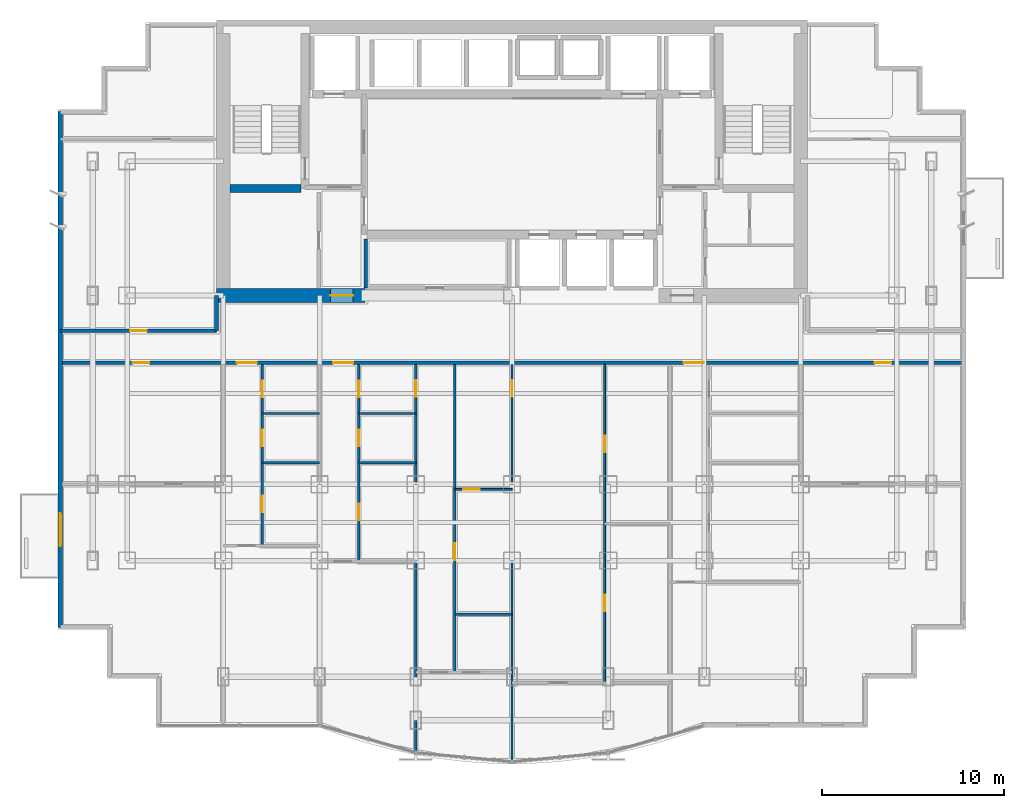
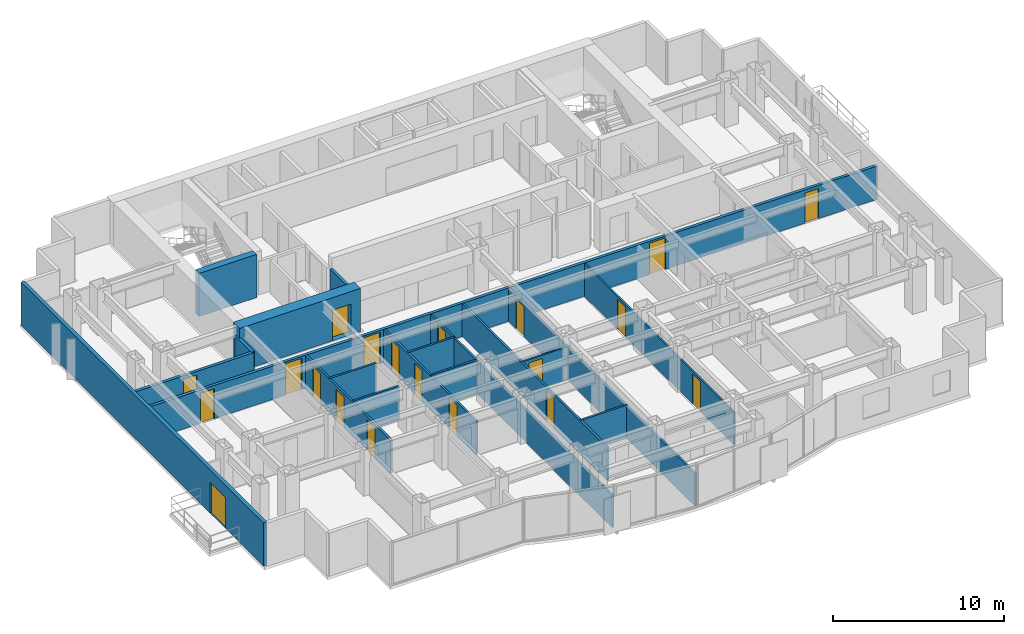
# One storey, part 5 of 10: 20 doors, 19 walls, 20 openings.
"""IFC4 building model written with IfcOpenShell, lengths in metres."""

from ifc_helpers import new_model, si_unit, direction, frame, frame_2d, origin, place, context, subcontext, project, spatial, rectangle, extrude, material, layer, layer_set, type_object, element, fill, save


model = new_model("IFC4")

# Units and contexts
model_context = context("Model", 3, precision=1e-05, world=origin(), true_north=direction((0.0, 1.0)))
body_context = subcontext(model_context, "Body", "Model", "MODEL_VIEW")
ifc_project = project(units=[si_unit("LENGTHUNIT", "METRE"), si_unit("AREAUNIT", "SQUARE_METRE"), si_unit("VOLUMEUNIT", "CUBIC_METRE"), si_unit("PLANEANGLEUNIT", "RADIAN"), si_unit("MASSUNIT", "GRAM", prefix="KILO")], contexts=[model_context])

# Site, building, storey
site_placement = place(None, origin())
site = spatial("IfcSite", under=ifc_project, at=site_placement, CompositionType="ELEMENT")
building_placement = place(site_placement, origin())
building = spatial("IfcBuilding", under=site, at=building_placement, Name="Qianlan Lanfeng Residences", CompositionType="ELEMENT")
storey_placement = place(building_placement, frame((0.0, 0.0, 114.699951171875)))
storey = spatial("IfcBuildingStorey", under=building, at=storey_placement, Name="L31", CompositionType="ELEMENT", Elevation=114.699951171875)

# Wall
ifc_material_1 = material(Name="Concrete C60", Category="concrete")
ifc_layer_1 = layer(ifc_material_1, 0.449951171875)
ifc_layer_set_1 = layer_set([ifc_layer_1], Name="Concrete C60")
wall_type_1 = type_object("IfcWallType", Name="CW-RC-450", PredefinedType="SHEAR", material=ifc_layer_set_1)
wall_1_placement = place(storey_placement, frame((10.97509765625, 31.10009765625, 0.0), z_axis=(0.0, 0.0, 1.0), x_axis=(1.0, 0.0, 0.0)))
element("IfcWall", 1, at=wall_1_placement, inside=storey, type_object=wall_type_1, Name="L31 Core Shear Wall ST1S", PredefinedType="SHEAR", context=body_context, shape_type="SweptSolid", body=[
    extrude(rectangle(XDim=3.89990234375, YDim=0.449951171875, at=frame_2d((1.949951171875, 0.0))), origin(), (0.0, 0.0, 1.0), 3.090087890625),
])

# Wall, opening, door
ifc_layer_2 = layer(ifc_material_1, 0.75)
ifc_layer_set_2 = layer_set([ifc_layer_2], Name="Concrete C60")
wall_type_2 = type_object("IfcWallType", Name="CW-RC-750", PredefinedType="SHEAR", material=ifc_layer_set_2)
wall_2_placement = place(storey_placement, frame((10.22509765625, 25.199951171875, 0.0), z_axis=(0.0, 0.0, 1.0), x_axis=(1.0, 0.0, 0.0)))
wall_2 = element("IfcWall", 2, at=wall_2_placement, inside=storey, type_object=wall_type_2, Name="L31 Core Shear Wall SW", PredefinedType="SHEAR", context=body_context, shape_type="SweptSolid", body=[
    extrude(rectangle(XDim=8.1748046875, YDim=0.75, at=frame_2d((4.08740234375, 0.0))), origin(), (0.0, 0.0, 1.0), 3.090087890625),
])
opening_1_placement = place(wall_2_placement, frame((6.27490234375, 0.0, 0.0)))
opening_1 = element("IfcOpeningElement", 3, at=opening_1_placement, cuts=wall_2, Name="Opening L31-D01", PredefinedType="OPENING", context=body_context, shape_type="SweptSolid", body=[
    extrude(rectangle(XDim=1.25, YDim=2.199951171875, at=frame_2d((0.625, 1.10009765625))), frame((0.0, 0.385009765625, 0.0), z_axis=(0.0, -1.0, 0.0), x_axis=(1.0, 0.0, 0.0)), (0.0, 0.0, 1.0), 0.77001953125),
])
ifc_material_2 = material(Name="Painted Galvanised Steel Fire Door", Category="steel")
door_type_1 = type_object("IfcDoorType", Name="DT-FFL", OperationType="NOTDEFINED", PredefinedType="DOOR", material=ifc_material_2)
door_1_placement = place(opening_1_placement, origin())
door_1 = element("IfcDoor", 4, at=door_1_placement, inside=storey, type_object=door_type_1, Name="L31 West Core Lobby Smoke Door L31-D01 (DT-FFL)", OperationType="SINGLE_SWING_RIGHT", OverallHeight=2.199951171875, OverallWidth=1.25, PredefinedType="DOOR", context=body_context, shape_type="SweptSolid", body=[
    extrude(rectangle(XDim=1.25, YDim=2.199951171875, at=frame_2d((0.625, 1.10009765625))), frame((0.0, 0.02490234375, 0.0), z_axis=(0.0, -1.0, 0.0), x_axis=(1.0, 0.0, 0.0)), (0.0, 0.0, 1.0), 0.050048828125),
])
fill(opening_1, door_1)

ifc_material_3 = material(Name="Concrete C42", Category="concrete")
ifc_layer_3 = layer(ifc_material_3, 0.239990234375)
ifc_layer_set_3 = layer_set([ifc_layer_3], Name="Concrete C42")
wall_type_3 = type_object("IfcWallType", Name="EW-240", PredefinedType="SOLIDWALL", material=ifc_layer_set_3)
wall_3_placement = place(storey_placement, frame((1.6201171875, 35.330078125, 0.0), z_axis=(0.0, 0.0, 1.0), x_axis=(0.0, -1.0, 0.0)))
wall_3 = element("IfcWall", 5, at=wall_3_placement, inside=storey, type_object=wall_type_3, Name="L31 Terrace/Balcony Access Exterior Wall 21", PredefinedType="SOLIDWALL", context=body_context, shape_type="SweptSolid", body=[
    extrude(rectangle(XDim=28.41015625, YDim=0.239990234375, at=frame_2d((14.205078125, 0.0))), origin(), (0.0, 0.0, 1.0), 3.090087890625),
])
opening_2_placement = place(wall_3_placement, frame((22.1298828125, 0.0, 0.0)))
opening_2 = element("IfcOpeningElement", 6, at=opening_2_placement, cuts=wall_3, Name="Opening L31-D-WB-S", PredefinedType="OPENING", context=body_context, shape_type="SweptSolid", body=[
    extrude(rectangle(XDim=1.800048828125, YDim=2.199951171875, at=frame_2d((0.89990234375, 1.10009765625))), frame((0.0, 0.1298828125, 0.0), z_axis=(0.0, -1.0, 0.0), x_axis=(1.0, 0.0, 0.0)), (0.0, 0.0, 1.0), 0.260009765625),
])
ifc_material_4 = material(Name="Anodised Bronze Aluminium Framed Glass", Category="aluminium")
door_type_2 = type_object("IfcDoorType", Name="DT-BAL1", OperationType="NOTDEFINED", PredefinedType="DOOR", material=ifc_material_4)
door_2_placement = place(opening_2_placement, frame((1.800048828125, 0.0, 0.0), z_axis=(0.0, 0.0, 1.0), x_axis=(-1.0, 0.0, 0.0)))
door_2 = element("IfcDoor", 7, at=door_2_placement, inside=storey, type_object=door_type_2, Name="L31 Exterior Access Door WB-S", OperationType="DOUBLE_DOOR_SLIDING", OverallHeight=2.199951171875, OverallWidth=1.800048828125, PredefinedType="DOOR", context=body_context, shape_type="SweptSolid", body=[
    extrude(rectangle(XDim=1.800048828125, YDim=2.199951171875, at=frame_2d((0.89990234375, 1.10009765625))), frame((0.0, 0.02490234375, 0.0), z_axis=(0.0, -1.0, 0.0), x_axis=(1.0, 0.0, 0.0)), (0.0, 0.0, 1.0), 0.050048828125),
])
fill(opening_2, door_2)

ifc_material_5 = material(Name="Demountable Acoustic Framing Partition 110 mm")
ifc_layer_4 = layer(ifc_material_5, 0.110107421875)
ifc_layer_set_4 = layer_set([ifc_layer_4], Name="Demountable Acoustic Framing Partition 110 mm")
wall_type_4 = type_object("IfcWallType", Name="PW-110", PredefinedType="MOVABLE", material=ifc_layer_set_4)
wall_4_placement = place(storey_placement, frame((23.35009765625, 14.52294921875, 0.0), z_axis=(0.0, 0.0, 1.0), x_axis=(1.0, 0.0, 0.0)))
wall_4 = element("IfcWall", 8, at=wall_4_placement, inside=storey, type_object=wall_type_4, Name="L31 U02 Wardrobe Split", PredefinedType="MOVABLE", context=body_context, shape_type="SweptSolid", body=[
    extrude(rectangle(XDim=3.14990234375, YDim=0.110107421875, at=frame_2d((1.574951171875, 0.0))), origin(), (0.0, 0.0, 1.0), 2.380126953125),
])
opening_3_placement = place(wall_4_placement, frame((0.465087890625, 0.0, 0.0)))
opening_3 = element("IfcOpeningElement", 9, at=opening_3_placement, cuts=wall_4, Name="Opening L31-D31", PredefinedType="OPENING", context=body_context, shape_type="SweptSolid", body=[
    extrude(rectangle(XDim=0.919921875, YDim=2.14990234375, at=frame_2d((0.4599609375, 1.074951171875))), frame((0.0, 0.06494140625, 0.0), z_axis=(0.0, -1.0, 0.0), x_axis=(1.0, 0.0, 0.0)), (0.0, 0.0, 1.0), 0.130126953125),
])
ifc_material_6 = material(Name="Glazed Timber Kitchen/Study Door", Category="wood")
door_type_3 = type_object("IfcDoorType", Name="DT-INT", OperationType="NOTDEFINED", PredefinedType="DOOR", material=ifc_material_6)
door_3_placement = place(opening_3_placement, origin())
door_3 = element("IfcDoor", 10, at=door_3_placement, inside=storey, type_object=door_type_3, Name="L31 U02 Dressing Inner Door L31-D31 (DT-INT)", OperationType="SINGLE_SWING_RIGHT", OverallHeight=2.14990234375, OverallWidth=0.919921875, PredefinedType="DOOR", context=body_context, shape_type="SweptSolid", body=[
    extrude(rectangle(XDim=0.919921875, YDim=2.14990234375, at=frame_2d((0.4599609375, 1.074951171875))), frame((0.0, 0.02490234375, 0.0), z_axis=(0.0, -1.0, 0.0), x_axis=(1.0, 0.0, 0.0)), (0.0, 0.0, 1.0), 0.050048828125),
])
fill(opening_3, door_3)

# Wall, openings, doors
wall_5_placement = place(storey_placement, frame((31.60009765625, 3.875, 0.0), z_axis=(0.0, 0.0, 1.0), x_axis=(0.0, 1.0, 0.0)))
wall_5 = element("IfcWall", 11, at=wall_5_placement, inside=storey, type_object=wall_type_4, Name="L31 U02 Bedroom 2 Hall Wall", PredefinedType="MOVABLE", context=body_context, shape_type="SweptSolid", body=[
    extrude(rectangle(XDim=17.52490234375, YDim=0.110107421875, at=frame_2d((8.762451171875, 0.0))), origin(), (0.0, 0.0, 1.0), 2.3349609375),
])
opening_4_placement = place(wall_5_placement, frame((3.9208984375, 0.0, 0.0)))
opening_4 = element("IfcOpeningElement", 12, at=opening_4_placement, cuts=wall_5, Name="Opening L31-D33", PredefinedType="OPENING", context=body_context, shape_type="SweptSolid", body=[
    extrude(rectangle(XDim=0.919921875, YDim=2.14990234375, at=frame_2d((0.4599609375, 1.074951171875))), frame((0.0, 0.06494140625, 0.0), z_axis=(0.0, -1.0, 0.0), x_axis=(1.0, 0.0, 0.0)), (0.0, 0.0, 1.0), 0.130126953125),
])
opening_5_placement = place(wall_5_placement, frame((12.68310546875, 0.0, 0.0)))
opening_5 = element("IfcOpeningElement", 13, at=opening_5_placement, cuts=wall_5, Name="Opening L31-D34", PredefinedType="OPENING", context=body_context, shape_type="SweptSolid", body=[
    extrude(rectangle(XDim=0.919921875, YDim=2.14990234375, at=frame_2d((0.4599609375, 1.074951171875))), frame((0.0, 0.06494140625, 0.0), z_axis=(0.0, -1.0, 0.0), x_axis=(1.0, 0.0, 0.0)), (0.0, 0.0, 1.0), 0.130126953125),
])
door_4_placement = place(opening_4_placement, origin())
door_4 = element("IfcDoor", 14, at=door_4_placement, inside=storey, type_object=door_type_3, Name="L31 U02 Utility Door L31-D33 (DT-INT)", OperationType="SINGLE_SWING_RIGHT", OverallHeight=2.14990234375, OverallWidth=0.919921875, PredefinedType="DOOR", context=body_context, shape_type="SweptSolid", body=[
    extrude(rectangle(XDim=0.919921875, YDim=2.14990234375, at=frame_2d((0.4599609375, 1.074951171875))), frame((0.0, 0.02490234375, 0.0), z_axis=(0.0, -1.0, 0.0), x_axis=(1.0, 0.0, 0.0)), (0.0, 0.0, 1.0), 0.050048828125),
])
fill(opening_4, door_4)
door_5_placement = place(opening_5_placement, origin())
door_5 = element("IfcDoor", 15, at=door_5_placement, inside=storey, type_object=door_type_3, Name="L31 U02 Specialty Door L31-D34 (DT-INT)", OperationType="SINGLE_SWING_LEFT", OverallHeight=2.14990234375, OverallWidth=0.919921875, PredefinedType="DOOR", context=body_context, shape_type="SweptSolid", body=[
    extrude(rectangle(XDim=0.919921875, YDim=2.14990234375, at=frame_2d((0.4599609375, 1.074951171875))), frame((0.0, 0.02490234375, 0.0), z_axis=(0.0, -1.0, 0.0), x_axis=(1.0, 0.0, 0.0)), (0.0, 0.0, 1.0), 0.050048828125),
])
fill(opening_5, door_5)

ifc_material_7 = material(Name="Moisture-Resistant Gypsum Partition 135 mm")
ifc_layer_5 = layer(ifc_material_7, 0.135009765625)
ifc_layer_set_5 = layer_set([ifc_layer_5], Name="Moisture-Resistant Gypsum Partition 135 mm")
wall_type_5 = type_object("IfcWallType", Name="PW-135", PredefinedType="PARTITIONING", material=ifc_layer_set_5)
wall_6_placement = place(storey_placement, frame((12.75, 11.419921875, 0.0), z_axis=(0.0, 0.0, 1.0), x_axis=(0.0, 1.0, 0.0)))
wall_6 = element("IfcWall", 16, at=wall_6_placement, inside=storey, type_object=wall_type_5, Name="L31 U01 Entry Hall Spine", PredefinedType="PARTITIONING", context=body_context, shape_type="SweptSolid", body=[
    extrude(rectangle(XDim=9.97998046875, YDim=0.135009765625, at=frame_2d((4.989990234375, 0.0))), origin(), (0.0, 0.0, 1.0), 2.380126953125),
])
opening_6_placement = place(wall_6_placement, frame((1.830078125, 0.0, 0.0)))
opening_6 = element("IfcOpeningElement", 17, at=opening_6_placement, cuts=wall_6, Name="Opening L31-D18", PredefinedType="OPENING", context=body_context, shape_type="SweptSolid", body=[
    extrude(rectangle(XDim=0.919921875, YDim=2.14990234375, at=frame_2d((0.4599609375, 1.074951171875))), frame((0.0, 0.07763671875, 0.0), z_axis=(0.0, -1.0, 0.0), x_axis=(1.0, 0.0, 0.0)), (0.0, 0.0, 1.0), 0.155029296875),
])
opening_7_placement = place(wall_6_placement, frame((5.469970703125, 0.0, 0.0)))
opening_7 = element("IfcOpeningElement", 18, at=opening_7_placement, cuts=wall_6, Name="Opening L31-D19", PredefinedType="OPENING", context=body_context, shape_type="SweptSolid", body=[
    extrude(rectangle(XDim=0.919921875, YDim=2.14990234375, at=frame_2d((0.4599609375, 1.074951171875))), frame((0.0, 0.07763671875, 0.0), z_axis=(0.0, -1.0, 0.0), x_axis=(1.0, 0.0, 0.0)), (0.0, 0.0, 1.0), 0.155029296875),
])
opening_8_placement = place(wall_6_placement, frame((8.179931640625, 0.0, 0.0)))
opening_8 = element("IfcOpeningElement", 19, at=opening_8_placement, cuts=wall_6, Name="Opening L31-D20", PredefinedType="OPENING", context=body_context, shape_type="SweptSolid", body=[
    extrude(rectangle(XDim=0.89990234375, YDim=2.14990234375, at=frame_2d((0.449951171875, 1.074951171875))), frame((0.0, 0.07763671875, 0.0), z_axis=(0.0, -1.0, 0.0), x_axis=(1.0, 0.0, 0.0)), (0.0, 0.0, 1.0), 0.155029296875),
])
door_6_placement = place(opening_6_placement, origin())
door_6 = element("IfcDoor", 20, at=door_6_placement, inside=storey, type_object=door_type_3, Name="L31 U01 Study Door L31-D18 (DT-INT)", OperationType="SINGLE_SWING_LEFT", OverallHeight=2.14990234375, OverallWidth=0.919921875, PredefinedType="DOOR", context=body_context, shape_type="SweptSolid", body=[
    extrude(rectangle(XDim=0.919921875, YDim=2.14990234375, at=frame_2d((0.4599609375, 1.074951171875))), frame((0.0, 0.02490234375, 0.0), z_axis=(0.0, -1.0, 0.0), x_axis=(1.0, 0.0, 0.0)), (0.0, 0.0, 1.0), 0.050048828125),
])
fill(opening_6, door_6)
door_7_placement = place(opening_7_placement, origin())
door_7 = element("IfcDoor", 21, at=door_7_placement, inside=storey, type_object=door_type_3, Name="L31 U01 Kitchen Door L31-D19 (DT-INT)", OperationType="SINGLE_SWING_RIGHT", OverallHeight=2.14990234375, OverallWidth=0.919921875, PredefinedType="DOOR", context=body_context, shape_type="SweptSolid", body=[
    extrude(rectangle(XDim=0.919921875, YDim=2.14990234375, at=frame_2d((0.4599609375, 1.074951171875))), frame((0.0, 0.02490234375, 0.0), z_axis=(0.0, -1.0, 0.0), x_axis=(1.0, 0.0, 0.0)), (0.0, 0.0, 1.0), 0.050048828125),
])
fill(opening_7, door_7)
ifc_material_8 = material(Name="Moisture-Resistant Timber Leaf", Category="wood")
door_type_4 = type_object("IfcDoorType", Name="DT-WC", OperationType="NOTDEFINED", PredefinedType="DOOR", material=ifc_material_8)
door_8_placement = place(opening_8_placement, origin())
door_8 = element("IfcDoor", 22, at=door_8_placement, inside=storey, type_object=door_type_4, Name="L31 U01 Bathroom Door L31-D20 (DT-WC)", OperationType="SINGLE_SWING_LEFT", OverallHeight=2.14990234375, OverallWidth=0.89990234375, PredefinedType="DOOR", context=body_context, shape_type="SweptSolid", body=[
    extrude(rectangle(XDim=0.89990234375, YDim=2.14990234375, at=frame_2d((0.449951171875, 1.074951171875))), frame((0.0, 0.02490234375, 0.0), z_axis=(0.0, -1.0, 0.0), x_axis=(1.0, 0.0, 0.0)), (0.0, 0.0, 1.0), 0.050048828125),
])
fill(opening_8, door_8)

# Walls
for number, where, z_axis, x_axis, name in (
    (23, (12.75, 16.0, 0.0), (0.0, 0.0, 1.0), (1.0, 0.0, 0.0), "L31 U01 Kitchen South Wall"),
    (24, (12.75, 18.699951171875, 0.0), (0.0, 0.0, 1.0), (1.0, 0.0, 0.0), "L31 U01 Bathroom South Wall"),
):
    element("IfcWall", number, at=place(storey_placement, frame(where, z_axis=z_axis, x_axis=x_axis)), inside=storey, type_object=wall_type_5, Name=name, PredefinedType="PARTITIONING", context=body_context, shape_type="SweptSolid", body=[
        extrude(rectangle(XDim=3.14990234375, YDim=0.135009765625, at=frame_2d((1.574951171875, 0.0))), origin(), (0.0, 0.0, 1.0), 2.380126953125),
    ])

# Wall, opening, door
wall_7_placement = place(storey_placement, frame((21.199951171875, 0.126953125, 0.0), z_axis=(0.0, 0.0, 1.0), x_axis=(0.0, 1.0, 0.0)))
wall_7 = element("IfcWall", 25, at=wall_7_placement, inside=storey, type_object=wall_type_5, Name="L31 U02 Bay Spine Wall 1", PredefinedType="PARTITIONING", context=body_context, shape_type="SweptSolid", body=[
    extrude(rectangle(XDim=21.27294921875, YDim=0.135009765625, at=frame_2d((10.636474609375, 0.0))), origin(), (0.0, 0.0, 1.0), 2.3349609375),
])
opening_9_placement = place(wall_7_placement, frame((19.488037109375, 0.0, 0.0)))
opening_9 = element("IfcOpeningElement", 26, at=opening_9_placement, cuts=wall_7, Name="Opening L31-D22", PredefinedType="OPENING", context=body_context, shape_type="SweptSolid", body=[
    extrude(rectangle(XDim=0.919921875, YDim=2.14990234375, at=frame_2d((0.4599609375, 1.074951171875))), frame((0.0, 0.07763671875, 0.0), z_axis=(0.0, -1.0, 0.0), x_axis=(1.0, 0.0, 0.0)), (0.0, 0.0, 1.0), 0.155029296875),
])
door_9_placement = place(opening_9_placement, origin())
door_9 = element("IfcDoor", 27, at=door_9_placement, inside=storey, type_object=door_type_3, Name="L31 U02 Internal Hall Door L31-D22 (DT-INT)", OperationType="SINGLE_SWING_LEFT", OverallHeight=2.14990234375, OverallWidth=0.919921875, PredefinedType="DOOR", context=body_context, shape_type="SweptSolid", body=[
    extrude(rectangle(XDim=0.919921875, YDim=2.14990234375, at=frame_2d((0.4599609375, 1.074951171875))), frame((0.0, 0.02490234375, 0.0), z_axis=(0.0, -1.0, 0.0), x_axis=(1.0, 0.0, 0.0)), (0.0, 0.0, 1.0), 0.050048828125),
])
fill(opening_9, door_9)

wall_8_placement = place(storey_placement, frame((26.5, -0.3798828125, 0.0), z_axis=(0.0, 0.0, 1.0), x_axis=(0.0, 1.0, 0.0)))
wall_8 = element("IfcWall", 28, at=wall_8_placement, inside=storey, type_object=wall_type_5, Name="L31 U02 Bay Spine Wall 2", PredefinedType="PARTITIONING", context=body_context, shape_type="SweptSolid", body=[
    extrude(rectangle(XDim=21.77978515625, YDim=0.135009765625, at=frame_2d((10.889892578125, 0.0))), origin(), (0.0, 0.0, 1.0), 2.3349609375),
])
opening_10_placement = place(wall_8_placement, frame((19.9951171875, 0.0, 0.0)))
opening_10 = element("IfcOpeningElement", 29, at=opening_10_placement, cuts=wall_8, Name="Opening L31-D23", PredefinedType="OPENING", context=body_context, shape_type="SweptSolid", body=[
    extrude(rectangle(XDim=0.919921875, YDim=2.14990234375, at=frame_2d((0.4599609375, 1.074951171875))), frame((0.0, 0.07763671875, 0.0), z_axis=(0.0, -1.0, 0.0), x_axis=(1.0, 0.0, 0.0)), (0.0, 0.0, 1.0), 0.155029296875),
])
door_10_placement = place(opening_10_placement, origin())
door_10 = element("IfcDoor", 30, at=door_10_placement, inside=storey, type_object=door_type_3, Name="L31 U02 Internal Hall Door L31-D23 (DT-INT)", OperationType="SINGLE_SWING_RIGHT", OverallHeight=2.14990234375, OverallWidth=0.919921875, PredefinedType="DOOR", context=body_context, shape_type="SweptSolid", body=[
    extrude(rectangle(XDim=0.919921875, YDim=2.14990234375, at=frame_2d((0.4599609375, 1.074951171875))), frame((0.0, 0.02490234375, 0.0), z_axis=(0.0, -1.0, 0.0), x_axis=(1.0, 0.0, 0.0)), (0.0, 0.0, 1.0), 0.050048828125),
])
fill(opening_10, door_10)

# Wall, openings, doors
wall_9_placement = place(storey_placement, frame((18.050048828125, 10.56005859375, 0.0), z_axis=(0.0, 0.0, 1.0), x_axis=(0.0, 1.0, 0.0)))
wall_9 = element("IfcWall", 31, at=wall_9_placement, inside=storey, type_object=wall_type_5, Name="L31 U02 Entry Hall Spine", PredefinedType="PARTITIONING", context=body_context, shape_type="SweptSolid", body=[
    extrude(rectangle(XDim=10.83984375, YDim=0.135009765625, at=frame_2d((5.419921875, 0.0))), origin(), (0.0, 0.0, 1.0), 2.380126953125),
])
opening_11_placement = place(wall_9_placement, frame((2.260009765625, 0.0, 0.0)))
opening_11 = element("IfcOpeningElement", 32, at=opening_11_placement, cuts=wall_9, Name="Opening L31-D25", PredefinedType="OPENING", context=body_context, shape_type="SweptSolid", body=[
    extrude(rectangle(XDim=0.919921875, YDim=2.14990234375, at=frame_2d((0.4599609375, 1.074951171875))), frame((0.0, 0.07763671875, 0.0), z_axis=(0.0, -1.0, 0.0), x_axis=(1.0, 0.0, 0.0)), (0.0, 0.0, 1.0), 0.155029296875),
])
opening_12_placement = place(wall_9_placement, frame((6.330078125, 0.0, 0.0)))
opening_12 = element("IfcOpeningElement", 33, at=opening_12_placement, cuts=wall_9, Name="Opening L31-D26", PredefinedType="OPENING", context=body_context, shape_type="SweptSolid", body=[
    extrude(rectangle(XDim=0.919921875, YDim=2.14990234375, at=frame_2d((0.4599609375, 1.074951171875))), frame((0.0, 0.07763671875, 0.0), z_axis=(0.0, -1.0, 0.0), x_axis=(1.0, 0.0, 0.0)), (0.0, 0.0, 1.0), 0.155029296875),
])
opening_13_placement = place(wall_9_placement, frame((9.0400390625, 0.0, 0.0)))
opening_13 = element("IfcOpeningElement", 34, at=opening_13_placement, cuts=wall_9, Name="Opening L31-D27", PredefinedType="OPENING", context=body_context, shape_type="SweptSolid", body=[
    extrude(rectangle(XDim=0.89990234375, YDim=2.14990234375, at=frame_2d((0.449951171875, 1.074951171875))), frame((0.0, 0.07763671875, 0.0), z_axis=(0.0, -1.0, 0.0), x_axis=(1.0, 0.0, 0.0)), (0.0, 0.0, 1.0), 0.155029296875),
])
door_11_placement = place(opening_11_placement, origin())
door_11 = element("IfcDoor", 35, at=door_11_placement, inside=storey, type_object=door_type_3, Name="L31 U02 Study Door L31-D25 (DT-INT)", OperationType="SINGLE_SWING_RIGHT", OverallHeight=2.14990234375, OverallWidth=0.919921875, PredefinedType="DOOR", context=body_context, shape_type="SweptSolid", body=[
    extrude(rectangle(XDim=0.919921875, YDim=2.14990234375, at=frame_2d((0.4599609375, 1.074951171875))), frame((0.0, 0.02490234375, 0.0), z_axis=(0.0, -1.0, 0.0), x_axis=(1.0, 0.0, 0.0)), (0.0, 0.0, 1.0), 0.050048828125),
])
fill(opening_11, door_11)
door_12_placement = place(opening_12_placement, origin())
door_12 = element("IfcDoor", 36, at=door_12_placement, inside=storey, type_object=door_type_3, Name="L31 U02 Kitchen Door L31-D26 (DT-INT)", OperationType="SINGLE_SWING_LEFT", OverallHeight=2.14990234375, OverallWidth=0.919921875, PredefinedType="DOOR", context=body_context, shape_type="SweptSolid", body=[
    extrude(rectangle(XDim=0.919921875, YDim=2.14990234375, at=frame_2d((0.4599609375, 1.074951171875))), frame((0.0, 0.02490234375, 0.0), z_axis=(0.0, -1.0, 0.0), x_axis=(1.0, 0.0, 0.0)), (0.0, 0.0, 1.0), 0.050048828125),
])
fill(opening_12, door_12)
door_13_placement = place(opening_13_placement, origin())
door_13 = element("IfcDoor", 37, at=door_13_placement, inside=storey, type_object=door_type_4, Name="L31 U02 Bathroom Door L31-D27 (DT-WC)", OperationType="SINGLE_SWING_RIGHT", OverallHeight=2.14990234375, OverallWidth=0.89990234375, PredefinedType="DOOR", context=body_context, shape_type="SweptSolid", body=[
    extrude(rectangle(XDim=0.89990234375, YDim=2.14990234375, at=frame_2d((0.449951171875, 1.074951171875))), frame((0.0, 0.02490234375, 0.0), z_axis=(0.0, -1.0, 0.0), x_axis=(1.0, 0.0, 0.0)), (0.0, 0.0, 1.0), 0.050048828125),
])
fill(opening_13, door_13)

# Walls
for number, where, z_axis, x_axis, name in (
    (38, (18.050048828125, 16.0, 0.0), (0.0, 0.0, 1.0), (1.0, 0.0, 0.0), "L31 U02 Kitchen South Wall"),
    (39, (18.050048828125, 18.699951171875, 0.0), (0.0, 0.0, 1.0), (1.0, 0.0, 0.0), "L31 U02 Bathroom South Wall"),
):
    element("IfcWall", number, at=place(storey_placement, frame(where, z_axis=z_axis, x_axis=x_axis)), inside=storey, type_object=wall_type_5, Name=name, PredefinedType="PARTITIONING", context=body_context, shape_type="SweptSolid", body=[
        extrude(rectangle(XDim=3.14990234375, YDim=0.135009765625, at=frame_2d((1.574951171875, 0.0))), origin(), (0.0, 0.0, 1.0), 2.380126953125),
    ])

# Wall, opening, door
wall_10_placement = place(storey_placement, frame((23.35009765625, 4.447021484375, 0.0), z_axis=(0.0, 0.0, 1.0), x_axis=(0.0, 1.0, 0.0)))
wall_10 = element("IfcWall", 40, at=wall_10_placement, inside=storey, type_object=wall_type_5, Name="L31 U02 Master Passage Wall", PredefinedType="PARTITIONING", context=body_context, shape_type="SweptSolid", body=[
    extrude(rectangle(XDim=16.952880859375, YDim=0.135009765625, at=frame_2d((8.4765625, 0.0))), origin(), (0.0, 0.0, 1.0), 2.380126953125),
])
opening_14_placement = place(wall_10_placement, frame((6.177978515625, 0.0, 0.0)))
opening_14 = element("IfcOpeningElement", 41, at=opening_14_placement, cuts=wall_10, Name="Opening L31-D30", PredefinedType="OPENING", context=body_context, shape_type="SweptSolid", body=[
    extrude(rectangle(XDim=0.919921875, YDim=2.14990234375, at=frame_2d((0.4599609375, 1.074951171875))), frame((0.0, 0.07763671875, 0.0), z_axis=(0.0, -1.0, 0.0), x_axis=(1.0, 0.0, 0.0)), (0.0, 0.0, 1.0), 0.155029296875),
])
door_14_placement = place(opening_14_placement, origin())
door_14 = element("IfcDoor", 42, at=door_14_placement, inside=storey, type_object=door_type_3, Name="L31 U02 Wardrobe Door L31-D30 (DT-INT)", OperationType="SINGLE_SWING_LEFT", OverallHeight=2.14990234375, OverallWidth=0.919921875, PredefinedType="DOOR", context=body_context, shape_type="SweptSolid", body=[
    extrude(rectangle(XDim=0.919921875, YDim=2.14990234375, at=frame_2d((0.4599609375, 1.074951171875))), frame((0.0, 0.02490234375, 0.0), z_axis=(0.0, -1.0, 0.0), x_axis=(1.0, 0.0, 0.0)), (0.0, 0.0, 1.0), 0.050048828125),
])
fill(opening_14, door_14)

# Walls
wall_11_placement = place(storey_placement, frame((23.35009765625, 7.64697265625, 0.0), z_axis=(0.0, 0.0, 1.0), x_axis=(1.0, 0.0, 0.0)))
element("IfcWall", 43, at=wall_11_placement, inside=storey, type_object=wall_type_5, Name="L31 U02 En-Suite North Wall", PredefinedType="PARTITIONING", context=body_context, shape_type="SweptSolid", body=[
    extrude(rectangle(XDim=3.14990234375, YDim=0.135009765625, at=frame_2d((1.574951171875, 0.0))), origin(), (0.0, 0.0, 1.0), 2.380126953125),
])
ifc_material_9 = material(Name="Double-Layer Acoustic Gypsum Stud Wall 180 mm")
ifc_layer_6 = layer(ifc_material_9, 0.179931640625)
ifc_layer_set_6 = layer_set([ifc_layer_6], Name="Double-Layer Acoustic Gypsum Stud Wall 180 mm")
wall_type_6 = type_object("IfcWallType", Name="PW-180", PredefinedType="PARTITIONING", material=ifc_layer_set_6)
wall_12_placement = place(storey_placement, frame((18.449951171875, 25.6201171875, 0.0), z_axis=(0.0, 0.0, 1.0), x_axis=(0.0, 1.0, 0.0)))
element("IfcWall", 44, at=wall_12_placement, inside=storey, type_object=wall_type_6, Name="L31 Reclaimed Low-Bank Room West Wall", PredefinedType="PARTITIONING", context=body_context, shape_type="SweptSolid", body=[
    extrude(rectangle(XDim=2.704833984375, YDim=0.179931640625, at=frame_2d((1.3525390625, 0.0))), origin(), (0.0, 0.0, 1.0), 2.380126953125),
])

# Wall, openings, doors
ifc_material_10 = material(Name="Autoclaved Aerated Concrete Blockwork 200 mm", Category="masonry")
ifc_layer_7 = layer(ifc_material_10, 0.199951171875)
ifc_layer_set_7 = layer_set([ifc_layer_7], Name="Autoclaved Aerated Concrete Blockwork 200 mm")
wall_type_7 = type_object("IfcWallType", Name="PW-200", PredefinedType="PARTITIONING", material=ifc_layer_set_7)
wall_13_placement = place(storey_placement, frame((1.6201171875, 21.5, 0.0), z_axis=(0.0, 0.0, 1.0), x_axis=(1.0, 0.0, 0.0)))
wall_13 = element("IfcWall", 45, at=wall_13_placement, inside=storey, type_object=wall_type_7, Name="L31 Residential Corridor South Fire Wall", PredefinedType="PARTITIONING", context=body_context, shape_type="SweptSolid", body=[
    extrude(rectangle(XDim=49.759765625, YDim=0.199951171875, at=frame_2d((24.8798828125, 0.0))), origin(), (0.0, 0.0, 1.0), 2.380126953125),
])
opening_15_placement = place(wall_13_placement, frame((9.72998046875, 0.0, 0.0)))
opening_15 = element("IfcOpeningElement", 46, at=opening_15_placement, cuts=wall_13, Name="Opening L31-D16", PredefinedType="OPENING", context=body_context, shape_type="SweptSolid", body=[
    extrude(rectangle(XDim=1.10009765625, YDim=2.25, at=frame_2d((0.550048828125, 1.125))), frame((0.0, 0.10986328125, 0.0), z_axis=(0.0, -1.0, 0.0), x_axis=(1.0, 0.0, 0.0)), (0.0, 0.0, 1.0), 0.219970703125),
])
opening_16_placement = place(wall_13_placement, frame((15.030029296875, 0.0, 0.0)))
opening_16 = element("IfcOpeningElement", 47, at=opening_16_placement, cuts=wall_13, Name="Opening L31-D21", PredefinedType="OPENING", context=body_context, shape_type="SweptSolid", body=[
    extrude(rectangle(XDim=1.10009765625, YDim=2.25, at=frame_2d((0.550048828125, 1.125))), frame((0.0, 0.10986328125, 0.0), z_axis=(0.0, -1.0, 0.0), x_axis=(1.0, 0.0, 0.0)), (0.0, 0.0, 1.0), 0.219970703125),
])
opening_17_placement = place(wall_13_placement, frame((34.330078125, 0.0, 0.0)))
opening_17 = element("IfcOpeningElement", 48, at=opening_17_placement, cuts=wall_13, Name="Opening L31-D35", PredefinedType="OPENING", context=body_context, shape_type="SweptSolid", body=[
    extrude(rectangle(XDim=1.10009765625, YDim=2.25, at=frame_2d((0.550048828125, 1.125))), frame((0.0, 0.10986328125, 0.0), z_axis=(0.0, -1.0, 0.0), x_axis=(1.0, 0.0, 0.0)), (0.0, 0.0, 1.0), 0.219970703125),
])
opening_18_placement = place(wall_13_placement, frame((3.985107421875, 0.0, 0.0)))
opening_18 = element("IfcOpeningElement", 49, at=opening_18_placement, cuts=wall_13, Name="Opening L31-D41", PredefinedType="OPENING", context=body_context, shape_type="SweptSolid", body=[
    extrude(rectangle(XDim=0.919921875, YDim=2.14990234375, at=frame_2d((0.4599609375, 1.074951171875))), frame((0.0, 0.10986328125, 0.0), z_axis=(0.0, -1.0, 0.0), x_axis=(1.0, 0.0, 0.0)), (0.0, 0.0, 1.0), 0.219970703125),
])
opening_19_placement = place(wall_13_placement, frame((44.85498046875, 0.0, 0.0)))
opening_19 = element("IfcOpeningElement", 50, at=opening_19_placement, cuts=wall_13, Name="Opening L31-D43", PredefinedType="OPENING", context=body_context, shape_type="SweptSolid", body=[
    extrude(rectangle(XDim=0.919921875, YDim=2.14990234375, at=frame_2d((0.4599609375, 1.074951171875))), frame((0.0, 0.10986328125, 0.0), z_axis=(0.0, -1.0, 0.0), x_axis=(1.0, 0.0, 0.0)), (0.0, 0.0, 1.0), 0.219970703125),
])
door_15_placement = place(opening_18_placement, origin())
door_15 = element("IfcDoor", 51, at=door_15_placement, inside=storey, type_object=door_type_3, Name="L31 SWP Corridor Door L31-D41 (DT-INT)", OperationType="SINGLE_SWING_RIGHT", OverallHeight=2.14990234375, OverallWidth=0.919921875, PredefinedType="DOOR", context=body_context, shape_type="SweptSolid", body=[
    extrude(rectangle(XDim=0.919921875, YDim=2.14990234375, at=frame_2d((0.4599609375, 1.074951171875))), frame((0.0, 0.02490234375, 0.0), z_axis=(0.0, -1.0, 0.0), x_axis=(1.0, 0.0, 0.0)), (0.0, 0.0, 1.0), 0.050048828125),
])
fill(opening_18, door_15)
door_16_placement = place(opening_19_placement, origin())
door_16 = element("IfcDoor", 52, at=door_16_placement, inside=storey, type_object=door_type_3, Name="L31 SEP Corridor Door L31-D43 (DT-INT)", OperationType="SINGLE_SWING_RIGHT", OverallHeight=2.14990234375, OverallWidth=0.919921875, PredefinedType="DOOR", context=body_context, shape_type="SweptSolid", body=[
    extrude(rectangle(XDim=0.919921875, YDim=2.14990234375, at=frame_2d((0.4599609375, 1.074951171875))), frame((0.0, 0.02490234375, 0.0), z_axis=(0.0, -1.0, 0.0), x_axis=(1.0, 0.0, 0.0)), (0.0, 0.0, 1.0), 0.050048828125),
])
fill(opening_19, door_16)
ifc_material_11 = material(Name="Solid-Core Oak Veneer Fire Door")
door_type_5 = type_object("IfcDoorType", Name="DT-UNIT", OperationType="NOTDEFINED", PredefinedType="DOOR", material=ifc_material_11)
door_17_placement = place(opening_15_placement, origin())
door_17 = element("IfcDoor", 53, at=door_17_placement, inside=storey, type_object=door_type_5, Name="L31 Apartment U01 Entrance Door L31-D16 (DT-UNIT)", OperationType="SINGLE_SWING_RIGHT", OverallHeight=2.25, OverallWidth=1.10009765625, PredefinedType="DOOR", context=body_context, shape_type="SweptSolid", body=[
    extrude(rectangle(XDim=1.10009765625, YDim=2.25, at=frame_2d((0.550048828125, 1.125))), frame((0.0, 0.02490234375, 0.0), z_axis=(0.0, -1.0, 0.0), x_axis=(1.0, 0.0, 0.0)), (0.0, 0.0, 1.0), 0.050048828125),
])
fill(opening_15, door_17)
door_18_placement = place(opening_16_placement, origin())
door_18 = element("IfcDoor", 54, at=door_18_placement, inside=storey, type_object=door_type_5, Name="L31 Apartment U02 Entrance Door L31-D21 (DT-UNIT)", OperationType="SINGLE_SWING_RIGHT", OverallHeight=2.25, OverallWidth=1.10009765625, PredefinedType="DOOR", context=body_context, shape_type="SweptSolid", body=[
    extrude(rectangle(XDim=1.10009765625, YDim=2.25, at=frame_2d((0.550048828125, 1.125))), frame((0.0, 0.02490234375, 0.0), z_axis=(0.0, -1.0, 0.0), x_axis=(1.0, 0.0, 0.0)), (0.0, 0.0, 1.0), 0.050048828125),
])
fill(opening_16, door_18)
door_19_placement = place(opening_17_placement, origin())
door_19 = element("IfcDoor", 55, at=door_19_placement, inside=storey, type_object=door_type_5, Name="L31 Apartment U03 Entrance Door L31-D35 (DT-UNIT)", OperationType="SINGLE_SWING_RIGHT", OverallHeight=2.25, OverallWidth=1.10009765625, PredefinedType="DOOR", context=body_context, shape_type="SweptSolid", body=[
    extrude(rectangle(XDim=1.10009765625, YDim=2.25, at=frame_2d((0.550048828125, 1.125))), frame((0.0, 0.02490234375, 0.0), z_axis=(0.0, -1.0, 0.0), x_axis=(1.0, 0.0, 0.0)), (0.0, 0.0, 1.0), 0.050048828125),
])
fill(opening_17, door_19)

# Wall, opening, door
wall_14_placement = place(storey_placement, frame((1.6201171875, 23.25, 0.0), z_axis=(0.0, 0.0, 1.0), x_axis=(1.0, 0.0, 0.0)))
wall_14 = element("IfcWall", 56, at=wall_14_placement, inside=storey, type_object=wall_type_7, Name="L31 Corridor NW Wall", PredefinedType="PARTITIONING", context=body_context, shape_type="SweptSolid", body=[
    extrude(rectangle(XDim=8.60498046875, YDim=0.199951171875, at=frame_2d((4.302490234375, 0.0))), origin(), (0.0, 0.0, 1.0), 2.380126953125),
])
opening_20_placement = place(wall_14_placement, frame((3.842041015625, 0.0, 0.0)))
opening_20 = element("IfcOpeningElement", 57, at=opening_20_placement, cuts=wall_14, Name="Opening L31-D45", PredefinedType="OPENING", context=body_context, shape_type="SweptSolid", body=[
    extrude(rectangle(XDim=0.919921875, YDim=2.14990234375, at=frame_2d((0.4599609375, 1.074951171875))), frame((0.0, 0.10986328125, 0.0), z_axis=(0.0, -1.0, 0.0), x_axis=(1.0, 0.0, 0.0)), (0.0, 0.0, 1.0), 0.219970703125),
])
door_20_placement = place(opening_20_placement, origin())
door_20 = element("IfcDoor", 58, at=door_20_placement, inside=storey, type_object=door_type_3, Name="L31 WW Amenity Salon Door L31-D45 (DT-INT)", OperationType="SINGLE_SWING_RIGHT", OverallHeight=2.14990234375, OverallWidth=0.919921875, PredefinedType="DOOR", context=body_context, shape_type="SweptSolid", body=[
    extrude(rectangle(XDim=0.919921875, YDim=2.14990234375, at=frame_2d((0.4599609375, 1.074951171875))), frame((0.0, 0.02490234375, 0.0), z_axis=(0.0, -1.0, 0.0), x_axis=(1.0, 0.0, 0.0)), (0.0, 0.0, 1.0), 0.050048828125),
])
fill(opening_20, door_20)

# Wall
wall_15_placement = place(storey_placement, frame((10.22509765625, 23.25, 0.0), z_axis=(0.0, 0.0, 1.0), x_axis=(0.0, 1.0, 0.0)))
element("IfcWall", 59, at=wall_15_placement, inside=storey, type_object=wall_type_7, Name="L31 NW Wing Core Return Wall", PredefinedType="PARTITIONING", context=body_context, shape_type="SweptSolid", body=[
    extrude(rectangle(XDim=1.949951171875, YDim=0.199951171875, at=frame_2d((0.97509765625, 0.0))), origin(), (0.0, 0.0, 1.0), 2.380126953125),
])

save(model, "model.ifc")
